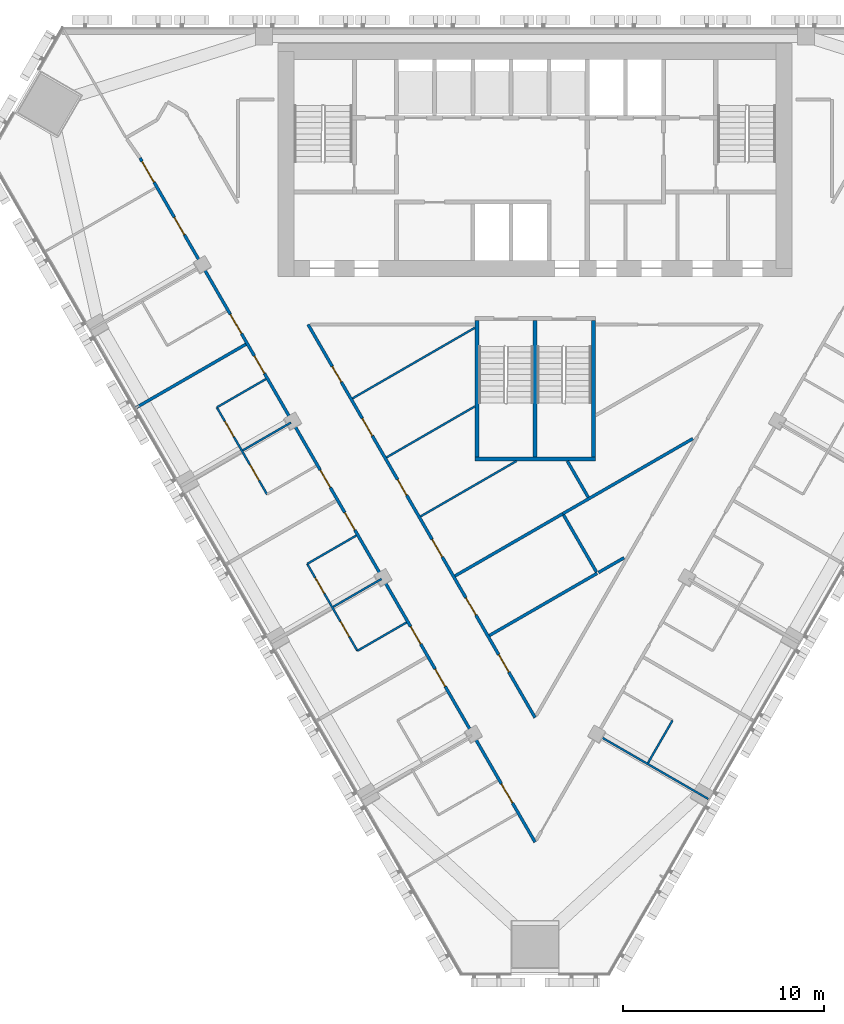
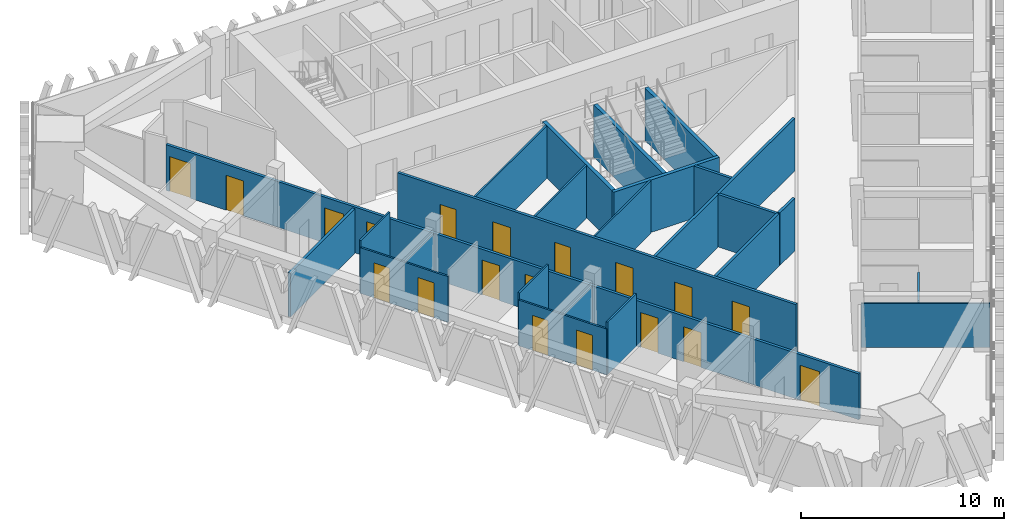
# One storey, part 9 of 16: 25 walls, 19 doors, 19 openings.
"""IFC4 building model written with IfcOpenShell, lengths in metres."""

from ifc_helpers import new_model, si_unit, direction, frame, frame_2d, origin, place, context, subcontext, project, spatial, rectangle, extrude, material, layer, layer_set, type_object, element, fill, save


model = new_model("IFC4")

# Units and contexts
model_context = context("Model", 3, precision=1e-05, world=origin(), true_north=direction((0.0, 1.0)))
body_context = subcontext(model_context, "Body", "Model", "MODEL_VIEW")
ifc_project = project(units=[si_unit("LENGTHUNIT", "METRE"), si_unit("AREAUNIT", "SQUARE_METRE"), si_unit("VOLUMEUNIT", "CUBIC_METRE"), si_unit("PLANEANGLEUNIT", "RADIAN"), si_unit("MASSUNIT", "GRAM", prefix="KILO")], contexts=[model_context])

# Site, building, storey
site_placement = place(None, origin())
site = spatial("IfcSite", under=ifc_project, at=site_placement, CompositionType="ELEMENT")
building_placement = place(site_placement, origin())
building = spatial("IfcBuilding", under=site, at=building_placement, Name="Altiplano Prism Tower", CompositionType="ELEMENT")
storey_placement = place(building_placement, frame((0.0, 0.0, 149.39990234375)))
storey = spatial("IfcBuildingStorey", under=building, at=storey_placement, Name="L38", CompositionType="ELEMENT", Elevation=149.39990234375)

# Wall, openings, doors
ifc_material_1 = material(Name="Plasterboard on steel stud", Category="steel")
ifc_layer_1 = layer(ifc_material_1, 0.10009765625)
ifc_layer_set_1 = layer_set([ifc_layer_1], Name="Plasterboard on steel stud")
wall_type_1 = type_object("IfcWallType", Name="Partition 100 unit", PredefinedType="PARTITIONING", material=ifc_layer_set_1)
wall_1_placement = place(storey_placement, frame((71.65087890625, 81.74267578125, 0.0), z_axis=(0.0, 0.0, 1.0), x_axis=(-0.500004234368, 0.866022959057, 0.0)))
wall_1 = element("IfcWall", 1, at=wall_1_placement, inside=storey, type_object=wall_type_1, Name="Partition P02 L38 033", PredefinedType="PARTITIONING", context=body_context, shape_type="SweptSolid", body=[
    extrude(rectangle(XDim=5.0, YDim=0.10009765625, at=frame_2d((2.5, 0.0))), origin(), (0.0, 0.0, 1.0), 2.75),
])
opening_1_placement = place(wall_1_placement, frame((3.300048828125, 0.0, 0.0)))
opening_1 = element("IfcOpeningElement", 2, at=opening_1_placement, cuts=wall_1, Name="Opening D1385", PredefinedType="OPENING", context=body_context, shape_type="SweptSolid", body=[
    extrude(rectangle(XDim=0.89990234375, YDim=2.10009765625, at=frame_2d((0.449951171875, 1.050048828125))), frame((0.0, 0.060546875, 0.0), z_axis=(0.0, -1.0, 0.0), x_axis=(1.0, 0.0, 0.0)), (0.0, 0.0, 1.0), 0.12109375),
])
opening_2_placement = place(wall_1_placement, frame((0.800048828125, 0.0, 0.0)))
opening_2 = element("IfcOpeningElement", 3, at=opening_2_placement, cuts=wall_1, Name="Opening D1387", PredefinedType="OPENING", context=body_context, shape_type="SweptSolid", body=[
    extrude(rectangle(XDim=0.89990234375, YDim=2.10009765625, at=frame_2d((0.449951171875, 1.050048828125))), frame((0.0, 0.060546875, 0.0), z_axis=(0.0, -1.0, 0.0), x_axis=(1.0, 0.0, 0.0)), (0.0, 0.0, 1.0), 0.12109375),
])
ifc_material_2 = material(Name="Timber", Category="wood")
door_type_1 = type_object("IfcDoorType", Name="Ensuite door 900 x 2100", OperationType="NOTDEFINED", PredefinedType="NOTDEFINED", material=ifc_material_2)
door_1_placement = place(opening_1_placement, origin())
door_1 = element("IfcDoor", 4, at=door_1_placement, inside=storey, type_object=door_type_1, Name="Door D1385", OperationType="SINGLE_SWING_RIGHT", OverallHeight=2.10009765625, OverallWidth=0.89990234375, PredefinedType="NOTDEFINED", context=body_context, shape_type="SweptSolid", body=[
    extrude(rectangle(XDim=0.89990234375, YDim=2.10009765625, at=frame_2d((0.449951171875, 1.050048828125))), frame((0.0, 0.02490234375, 0.0), z_axis=(0.0, -1.0, 0.0), x_axis=(1.0, 0.0, 0.0)), (0.0, 0.0, 1.0), 0.050048828125),
])
fill(opening_1, door_1)
door_2_placement = place(opening_2_placement, origin())
door_2 = element("IfcDoor", 5, at=door_2_placement, inside=storey, type_object=door_type_1, Name="Door D1387", OperationType="SINGLE_SWING_RIGHT", OverallHeight=2.10009765625, OverallWidth=0.89990234375, PredefinedType="NOTDEFINED", context=body_context, shape_type="SweptSolid", body=[
    extrude(rectangle(XDim=0.89990234375, YDim=2.10009765625, at=frame_2d((0.449951171875, 1.050048828125))), frame((0.0, 0.02490234375, 0.0), z_axis=(0.0, -1.0, 0.0), x_axis=(1.0, 0.0, 0.0)), (0.0, 0.0, 1.0), 0.050048828125),
])
fill(opening_2, door_2)

# Wall
wall_2_placement = place(storey_placement, frame((69.15087890625, 86.07275390625, 0.0), z_axis=(0.0, 0.0, 1.0), x_axis=(0.866011447264, 0.500024172624, 0.0)))
element("IfcWall", 6, at=wall_2_placement, inside=storey, type_object=wall_type_1, Name="Partition P02 L38 034", PredefinedType="PARTITIONING", context=body_context, shape_type="SweptSolid", body=[
    extrude(rectangle(XDim=2.824951171875, YDim=0.10009765625, at=frame_2d((1.41259765625, 0.0))), origin(), (0.0, 0.0, 1.0), 3.150146484375),
])

# Wall, openings, doors
wall_3_placement = place(storey_placement, frame((76.15087890625, 73.948486328125, 0.0), z_axis=(0.0, 0.0, 1.0), x_axis=(-0.500004234368, 0.866022959057, 0.0)))
wall_3 = element("IfcWall", 7, at=wall_3_placement, inside=storey, type_object=wall_type_1, Name="Partition P02 L38 039", PredefinedType="PARTITIONING", context=body_context, shape_type="SweptSolid", body=[
    extrude(rectangle(XDim=5.0, YDim=0.10009765625, at=frame_2d((2.5, 0.0))), origin(), (0.0, 0.0, 1.0), 2.75),
])
opening_3_placement = place(wall_3_placement, frame((3.300048828125, 0.0, 0.0)))
opening_3 = element("IfcOpeningElement", 8, at=opening_3_placement, cuts=wall_3, Name="Opening D1389", PredefinedType="OPENING", context=body_context, shape_type="SweptSolid", body=[
    extrude(rectangle(XDim=0.89990234375, YDim=2.10009765625, at=frame_2d((0.449951171875, 1.050048828125))), frame((0.0, 0.060546875, 0.0), z_axis=(0.0, -1.0, 0.0), x_axis=(1.0, 0.0, 0.0)), (0.0, 0.0, 1.0), 0.12109375),
])
opening_4_placement = place(wall_3_placement, frame((0.800048828125, 0.0, 0.0)))
opening_4 = element("IfcOpeningElement", 9, at=opening_4_placement, cuts=wall_3, Name="Opening D1391", PredefinedType="OPENING", context=body_context, shape_type="SweptSolid", body=[
    extrude(rectangle(XDim=0.89990234375, YDim=2.10009765625, at=frame_2d((0.449951171875, 1.050048828125))), frame((0.0, 0.060546875, 0.0), z_axis=(0.0, -1.0, 0.0), x_axis=(1.0, 0.0, 0.0)), (0.0, 0.0, 1.0), 0.12109375),
])
door_3_placement = place(opening_3_placement, origin())
door_3 = element("IfcDoor", 10, at=door_3_placement, inside=storey, type_object=door_type_1, Name="Door D1389", OperationType="SINGLE_SWING_LEFT", OverallHeight=2.10009765625, OverallWidth=0.89990234375, PredefinedType="NOTDEFINED", context=body_context, shape_type="SweptSolid", body=[
    extrude(rectangle(XDim=0.89990234375, YDim=2.10009765625, at=frame_2d((0.449951171875, 1.050048828125))), frame((0.0, 0.02490234375, 0.0), z_axis=(0.0, -1.0, 0.0), x_axis=(1.0, 0.0, 0.0)), (0.0, 0.0, 1.0), 0.050048828125),
])
fill(opening_3, door_3)
door_4_placement = place(opening_4_placement, origin())
door_4 = element("IfcDoor", 11, at=door_4_placement, inside=storey, type_object=door_type_1, Name="Door D1391", OperationType="SINGLE_SWING_LEFT", OverallHeight=2.10009765625, OverallWidth=0.89990234375, PredefinedType="NOTDEFINED", context=body_context, shape_type="SweptSolid", body=[
    extrude(rectangle(XDim=0.89990234375, YDim=2.10009765625, at=frame_2d((0.449951171875, 1.050048828125))), frame((0.0, 0.02490234375, 0.0), z_axis=(0.0, -1.0, 0.0), x_axis=(1.0, 0.0, 0.0)), (0.0, 0.0, 1.0), 0.050048828125),
])
fill(opening_4, door_4)

# Walls
for number, where, z_axis, x_axis, name in (
    (12, (73.65087890625, 78.278564453125, 0.0), (0.0, 0.0, 1.0), (0.866048868473, 0.499959355765, 0.0), "Partition P02 L38 040"),
    (13, (78.597412109375, 75.36083984375, 0.0), (0.0, 0.0, 1.0), (-0.866048868473, -0.499959355765, 0.0), "Partition P02 L38 043"),
):
    element("IfcWall", number, at=place(storey_placement, frame(where, z_axis=z_axis, x_axis=x_axis)), inside=storey, type_object=wall_type_1, Name=name, PredefinedType="PARTITIONING", context=body_context, shape_type="SweptSolid", body=[
        extrude(rectangle(XDim=2.824951171875, YDim=0.10009765625, at=frame_2d((1.41259765625, 0.0))), origin(), (0.0, 0.0, 1.0), 3.150146484375),
    ])
wall_4_placement = place(storey_placement, frame((91.84912109375, 70.484375, 0.0), z_axis=(0.0, 0.0, 1.0), x_axis=(-0.499943856944, -0.866057815567, 0.0)))
element("IfcWall", 14, at=wall_4_placement, inside=storey, type_object=wall_type_1, Name="Partition P02 L38 054", PredefinedType="PARTITIONING", context=body_context, shape_type="SweptSolid", body=[
    extrude(rectangle(XDim=2.449951171875, YDim=0.10009765625, at=frame_2d((1.22509765625, 0.0))), origin(), (0.0, 0.0, 1.0), 2.75),
])
ifc_layer_2 = layer(ifc_material_1, 0.10009765625)
ifc_layer_set_2 = layer_set([ifc_layer_2], Name="Plasterboard on steel stud")
wall_type_2 = type_object("IfcWallType", Name="Partition 100 wet", PredefinedType="PARTITIONING", material=ifc_layer_set_2)
wall_5_placement = place(storey_placement, frame((82.0, 86.12060546875, 0.0), z_axis=(0.0, 0.0, 1.0), x_axis=(-0.866023813814, -0.5000027539, 0.0)))
element("IfcWall", 15, at=wall_5_placement, inside=storey, type_object=wall_type_2, Name="Partition P03 L38 019", PredefinedType="PARTITIONING", context=body_context, shape_type="SweptSolid", body=[
    extrude(rectangle(XDim=5.07666015625, YDim=0.10009765625, at=frame_2d((2.538330078125, 0.0))), origin(), (0.0, 0.0, 1.0), 3.150146484375),
])
wall_6_placement = place(storey_placement, frame((79.2998046875, 80.64404296875, 0.0), z_axis=(0.0, 0.0, 1.0), x_axis=(0.866032163869, 0.499988291006, 0.0)))
element("IfcWall", 16, at=wall_6_placement, inside=storey, type_object=wall_type_2, Name="Partition P03 L38 020", PredefinedType="PARTITIONING", context=body_context, shape_type="SweptSolid", body=[
    extrude(rectangle(XDim=5.511962890625, YDim=0.10009765625, at=frame_2d((2.755859375, 0.0))), origin(), (0.0, 0.0, 1.0), 3.150146484375),
])
wall_7_placement = place(storey_placement, frame((75.9072265625, 86.5205078125, 0.0), z_axis=(0.0, 0.0, 1.0), x_axis=(0.866030712881, 0.499990804263, 0.0)))
element("IfcWall", 17, at=wall_7_placement, inside=storey, type_object=wall_type_2, Name="Partition P03 L38 021", PredefinedType="PARTITIONING", context=body_context, shape_type="SweptSolid", body=[
    extrude(rectangle(XDim=7.035400390625, YDim=0.10009765625, at=frame_2d((3.517578125, 0.0))), origin(), (0.0, 0.0, 1.0), 3.150146484375),
])
for number, where, z_axis, x_axis, name in (
    (18, (70.444091796875, 83.9326171875, 0.0), (0.0, 0.0, 1.0), (0.866042014628, 0.499971228071, 0.0), "Partition P03 L38 036"),
    (19, (74.944091796875, 76.138427734375, 0.0), (0.0, 0.0, 1.0), (0.866042014628, 0.499971228071, 0.0), "Partition P03 L38 042"),
):
    element("IfcWall", number, at=place(storey_placement, frame(where, z_axis=z_axis, x_axis=x_axis)), inside=storey, type_object=wall_type_2, Name=name, PredefinedType="PARTITIONING", context=body_context, shape_type="SweptSolid", body=[
        extrude(rectangle(XDim=2.775146484375, YDim=0.10009765625, at=frame_2d((1.3876953125, 0.0))), origin(), (0.0, 0.0, 1.0), 2.75),
    ])
wall_8_placement = place(storey_placement, frame((93.63037109375, 66.5693359375, 0.0), z_axis=(0.0, 0.0, 1.0), x_axis=(-0.866042250622, 0.499970819286, 0.0)))
element("IfcWall", 20, at=wall_8_placement, inside=storey, type_object=wall_type_2, Name="Partition P03 L38 052", PredefinedType="PARTITIONING", context=body_context, shape_type="SweptSolid", body=[
    extrude(rectangle(XDim=6.3251953125, YDim=0.10009765625, at=frame_2d((3.16259765625, 0.0))), origin(), (0.0, 0.0, 1.0), 2.650146484375),
])

# Wall, openings, doors
ifc_layer_3 = layer(ifc_material_1, 0.14990234375)
ifc_layer_set_3 = layer_set([ifc_layer_3], Name="Plasterboard on steel stud")
wall_type_3 = type_object("IfcWallType", Name="Partition 150 corridor", PredefinedType="PARTITIONING", material=ifc_layer_set_3)
wall_9_placement = place(storey_placement, frame((85.0, 70.62109375, 0.0), z_axis=(0.0, 0.0, 1.0), x_axis=(-0.500003200507, 0.866023555963, 0.0)))
wall_9 = element("IfcWall", 21, at=wall_9_placement, inside=storey, type_object=wall_type_3, Name="Partition P06 L38 004", PredefinedType="PARTITIONING", context=body_context, shape_type="SweptSolid", body=[
    extrude(rectangle(XDim=22.607666015625, YDim=0.14990234375, at=frame_2d((11.3037109375, 0.0))), origin(), (0.0, 0.0, 1.0), 3.150146484375),
])
opening_5_placement = place(wall_9_placement, frame((12.7900390625, 0.0, 0.0)))
opening_5 = element("IfcOpeningElement", 22, at=opening_5_placement, cuts=wall_9, Name="Opening D1374", PredefinedType="OPENING", context=body_context, shape_type="SweptSolid", body=[
    extrude(rectangle(XDim=0.89990234375, YDim=2.10009765625, at=frame_2d((0.449951171875, 1.050048828125))), frame((0.0, 0.08544921875, 0.0), z_axis=(0.0, -1.0, 0.0), x_axis=(1.0, 0.0, 0.0)), (0.0, 0.0, 1.0), 0.1708984375),
])
opening_6_placement = place(wall_9_placement, frame((19.298095703125, 0.0, 0.0)))
opening_6 = element("IfcOpeningElement", 23, at=opening_6_placement, cuts=wall_9, Name="Opening D1375", PredefinedType="OPENING", context=body_context, shape_type="SweptSolid", body=[
    extrude(rectangle(XDim=0.89990234375, YDim=2.10009765625, at=frame_2d((0.449951171875, 1.050048828125))), frame((0.0, 0.08544921875, 0.0), z_axis=(0.0, -1.0, 0.0), x_axis=(1.0, 0.0, 0.0)), (0.0, 0.0, 1.0), 0.1708984375),
])
opening_7_placement = place(wall_9_placement, frame((2.618896484375, 0.0, 0.0)))
opening_7 = element("IfcOpeningElement", 24, at=opening_7_placement, cuts=wall_9, Name="Opening D1378", PredefinedType="OPENING", context=body_context, shape_type="SweptSolid", body=[
    extrude(rectangle(XDim=1.0, YDim=2.10009765625, at=frame_2d((0.5, 1.050048828125))), frame((0.0, 0.08544921875, 0.0), z_axis=(0.0, -1.0, 0.0), x_axis=(1.0, 0.0, 0.0)), (0.0, 0.0, 1.0), 0.1708984375),
])
opening_8_placement = place(wall_9_placement, frame((16.2099609375, 0.0, 0.0)))
opening_8 = element("IfcOpeningElement", 25, at=opening_8_placement, cuts=wall_9, Name="Opening D1379", PredefinedType="OPENING", context=body_context, shape_type="SweptSolid", body=[
    extrude(rectangle(XDim=1.0, YDim=2.10009765625, at=frame_2d((0.5, 1.050048828125))), frame((0.0, 0.08544921875, 0.0), z_axis=(0.0, -1.0, 0.0), x_axis=(1.0, 0.0, 0.0)), (0.0, 0.0, 1.0), 0.1708984375),
])
opening_9_placement = place(wall_9_placement, frame((9.24609375, 0.0, 0.0)))
opening_9 = element("IfcOpeningElement", 26, at=opening_9_placement, cuts=wall_9, Name="Opening D1414", PredefinedType="OPENING", context=body_context, shape_type="SweptSolid", body=[
    extrude(rectangle(XDim=1.0, YDim=2.10009765625, at=frame_2d((0.5, 1.050048828125))), frame((0.0, 0.08544921875, 0.0), z_axis=(0.0, -1.0, 0.0), x_axis=(1.0, 0.0, 0.0)), (0.0, 0.0, 1.0), 0.1708984375),
])
opening_10_placement = place(wall_9_placement, frame((5.89208984375, 0.0, 0.0)))
opening_10 = element("IfcOpeningElement", 27, at=opening_10_placement, cuts=wall_9, Name="Opening D1415", PredefinedType="OPENING", context=body_context, shape_type="SweptSolid", body=[
    extrude(rectangle(XDim=1.0, YDim=2.10009765625, at=frame_2d((0.5, 1.050048828125))), frame((0.0, 0.08544921875, 0.0), z_axis=(0.0, -1.0, 0.0), x_axis=(1.0, 0.0, 0.0)), (0.0, 0.0, 1.0), 0.1708984375),
])
door_type_2 = type_object("IfcDoorType", Name="Store door 1000 x 2100", OperationType="NOTDEFINED", PredefinedType="NOTDEFINED", material=ifc_material_2)
door_5_placement = place(opening_7_placement, origin())
door_5 = element("IfcDoor", 28, at=door_5_placement, inside=storey, type_object=door_type_2, Name="Door D1378", OperationType="SINGLE_SWING_RIGHT", OverallHeight=2.10009765625, OverallWidth=1.0, PredefinedType="NOTDEFINED", context=body_context, shape_type="SweptSolid", body=[
    extrude(rectangle(XDim=1.0, YDim=2.10009765625, at=frame_2d((0.5, 1.050048828125))), frame((0.0, 0.02490234375, 0.0), z_axis=(0.0, -1.0, 0.0), x_axis=(1.0, 0.0, 0.0)), (0.0, 0.0, 1.0), 0.050048828125),
])
fill(opening_7, door_5)
door_6_placement = place(opening_8_placement, origin())
door_6 = element("IfcDoor", 29, at=door_6_placement, inside=storey, type_object=door_type_2, Name="Door D1379", OperationType="SINGLE_SWING_LEFT", OverallHeight=2.10009765625, OverallWidth=1.0, PredefinedType="NOTDEFINED", context=body_context, shape_type="SweptSolid", body=[
    extrude(rectangle(XDim=1.0, YDim=2.10009765625, at=frame_2d((0.5, 1.050048828125))), frame((0.0, 0.02490234375, 0.0), z_axis=(0.0, -1.0, 0.0), x_axis=(1.0, 0.0, 0.0)), (0.0, 0.0, 1.0), 0.050048828125),
])
fill(opening_8, door_6)
door_7_placement = place(opening_9_placement, origin())
door_7 = element("IfcDoor", 30, at=door_7_placement, inside=storey, type_object=door_type_2, Name="Door D1414", OperationType="SINGLE_SWING_LEFT", OverallHeight=2.10009765625, OverallWidth=1.0, PredefinedType="NOTDEFINED", context=body_context, shape_type="SweptSolid", body=[
    extrude(rectangle(XDim=1.0, YDim=2.10009765625, at=frame_2d((0.5, 1.050048828125))), frame((0.0, 0.02490234375, 0.0), z_axis=(0.0, -1.0, 0.0), x_axis=(1.0, 0.0, 0.0)), (0.0, 0.0, 1.0), 0.050048828125),
])
fill(opening_9, door_7)
door_8_placement = place(opening_10_placement, origin())
door_8 = element("IfcDoor", 31, at=door_8_placement, inside=storey, type_object=door_type_2, Name="Door D1415", OperationType="SINGLE_SWING_RIGHT", OverallHeight=2.10009765625, OverallWidth=1.0, PredefinedType="NOTDEFINED", context=body_context, shape_type="SweptSolid", body=[
    extrude(rectangle(XDim=1.0, YDim=2.10009765625, at=frame_2d((0.5, 1.050048828125))), frame((0.0, 0.02490234375, 0.0), z_axis=(0.0, -1.0, 0.0), x_axis=(1.0, 0.0, 0.0)), (0.0, 0.0, 1.0), 0.050048828125),
])
fill(opening_10, door_8)
door_type_3 = type_object("IfcDoorType", Name="Toilet door 900 x 2100", OperationType="NOTDEFINED", PredefinedType="NOTDEFINED", material=ifc_material_2)
door_9_placement = place(opening_5_placement, origin())
door_9 = element("IfcDoor", 32, at=door_9_placement, inside=storey, type_object=door_type_3, Name="Door D1374", OperationType="SINGLE_SWING_RIGHT", OverallHeight=2.10009765625, OverallWidth=0.89990234375, PredefinedType="NOTDEFINED", context=body_context, shape_type="SweptSolid", body=[
    extrude(rectangle(XDim=0.89990234375, YDim=2.10009765625, at=frame_2d((0.449951171875, 1.050048828125))), frame((0.0, 0.02490234375, 0.0), z_axis=(0.0, -1.0, 0.0), x_axis=(1.0, 0.0, 0.0)), (0.0, 0.0, 1.0), 0.050048828125),
])
fill(opening_5, door_9)
door_10_placement = place(opening_6_placement, origin())
door_10 = element("IfcDoor", 33, at=door_10_placement, inside=storey, type_object=door_type_3, Name="Door D1375", OperationType="SINGLE_SWING_LEFT", OverallHeight=2.10009765625, OverallWidth=0.89990234375, PredefinedType="NOTDEFINED", context=body_context, shape_type="SweptSolid", body=[
    extrude(rectangle(XDim=0.89990234375, YDim=2.10009765625, at=frame_2d((0.449951171875, 1.050048828125))), frame((0.0, 0.02490234375, 0.0), z_axis=(0.0, -1.0, 0.0), x_axis=(1.0, 0.0, 0.0)), (0.0, 0.0, 1.0), 0.050048828125),
])
fill(opening_6, door_10)

wall_10_placement = place(storey_placement, frame((65.324462890625, 98.5, 0.0), z_axis=(0.0, 0.0, 1.0), x_axis=(0.500001898363, -0.866024307761, 0.0)))
wall_10 = element("IfcWall", 34, at=wall_10_placement, inside=storey, type_object=wall_type_3, Name="Partition P06 L38 006", PredefinedType="PARTITIONING", context=body_context, shape_type="SweptSolid", body=[
    extrude(rectangle(XDim=39.350830078125, YDim=0.14990234375, at=frame_2d((19.67529296875, 0.0))), origin(), (0.0, 0.0, 1.0), 2.75),
])
opening_11_placement = place(wall_10_placement, frame((0.199951171875, 0.0, 0.0)))
opening_11 = element("IfcOpeningElement", 35, at=opening_11_placement, cuts=wall_10, Name="Opening D1380", PredefinedType="OPENING", context=body_context, shape_type="SweptSolid", body=[
    extrude(rectangle(XDim=1.199951171875, YDim=2.10009765625, at=frame_2d((0.60009765625, 1.050048828125))), frame((0.0, 0.08544921875, 0.0), z_axis=(0.0, -1.0, 0.0), x_axis=(1.0, 0.0, 0.0)), (0.0, 0.0, 1.0), 0.1708984375),
])
opening_12_placement = place(wall_10_placement, frame((3.425048828125, 0.0, 0.0)))
opening_12 = element("IfcOpeningElement", 36, at=opening_12_placement, cuts=wall_10, Name="Opening D1381", PredefinedType="OPENING", context=body_context, shape_type="SweptSolid", body=[
    extrude(rectangle(XDim=1.0, YDim=2.10009765625, at=frame_2d((0.5, 1.050048828125))), frame((0.0, 0.08544921875, 0.0), z_axis=(0.0, -1.0, 0.0), x_axis=(1.0, 0.0, 0.0)), (0.0, 0.0, 1.0), 0.1708984375),
])
opening_13_placement = place(wall_10_placement, frame((9.00390625, 0.0, 0.0)))
opening_13 = element("IfcOpeningElement", 37, at=opening_13_placement, cuts=wall_10, Name="Opening D1382", PredefinedType="OPENING", context=body_context, shape_type="SweptSolid", body=[
    extrude(rectangle(XDim=1.10009765625, YDim=2.10009765625, at=frame_2d((0.550048828125, 1.050048828125))), frame((0.0, 0.08544921875, 0.0), z_axis=(0.0, -1.0, 0.0), x_axis=(1.0, 0.0, 0.0)), (0.0, 0.0, 1.0), 0.1708984375),
])
opening_14_placement = place(wall_10_placement, frame((11.39599609375, 0.0, 0.0)))
opening_14 = element("IfcOpeningElement", 38, at=opening_14_placement, cuts=wall_10, Name="Opening D1384", PredefinedType="OPENING", context=body_context, shape_type="SweptSolid", body=[
    extrude(rectangle(XDim=1.0, YDim=2.10009765625, at=frame_2d((0.5, 1.050048828125))), frame((0.0, 0.08544921875, 0.0), z_axis=(0.0, -1.0, 0.0), x_axis=(1.0, 0.0, 0.0)), (0.0, 0.0, 1.0), 0.1708984375),
])
opening_15_placement = place(wall_10_placement, frame((17.955078125, 0.0, 0.0)))
opening_15 = element("IfcOpeningElement", 39, at=opening_15_placement, cuts=wall_10, Name="Opening D1386", PredefinedType="OPENING", context=body_context, shape_type="SweptSolid", body=[
    extrude(rectangle(XDim=1.0, YDim=2.10009765625, at=frame_2d((0.5, 1.050048828125))), frame((0.0, 0.08544921875, 0.0), z_axis=(0.0, -1.0, 0.0), x_axis=(1.0, 0.0, 0.0)), (0.0, 0.0, 1.0), 0.1708984375),
])
opening_16_placement = place(wall_10_placement, frame((20.39599609375, 0.0, 0.0)))
opening_16 = element("IfcOpeningElement", 40, at=opening_16_placement, cuts=wall_10, Name="Opening D1388", PredefinedType="OPENING", context=body_context, shape_type="SweptSolid", body=[
    extrude(rectangle(XDim=1.0, YDim=2.10009765625, at=frame_2d((0.5, 1.050048828125))), frame((0.0, 0.08544921875, 0.0), z_axis=(0.0, -1.0, 0.0), x_axis=(1.0, 0.0, 0.0)), (0.0, 0.0, 1.0), 0.1708984375),
])
opening_17_placement = place(wall_10_placement, frame((26.955078125, 0.0, 0.0)))
opening_17 = element("IfcOpeningElement", 41, at=opening_17_placement, cuts=wall_10, Name="Opening D1390", PredefinedType="OPENING", context=body_context, shape_type="SweptSolid", body=[
    extrude(rectangle(XDim=1.0, YDim=2.10009765625, at=frame_2d((0.5, 1.050048828125))), frame((0.0, 0.08544921875, 0.0), z_axis=(0.0, -1.0, 0.0), x_axis=(1.0, 0.0, 0.0)), (0.0, 0.0, 1.0), 0.1708984375),
])
opening_18_placement = place(wall_10_placement, frame((29.39599609375, 0.0, 0.0)))
opening_18 = element("IfcOpeningElement", 42, at=opening_18_placement, cuts=wall_10, Name="Opening D1392", PredefinedType="OPENING", context=body_context, shape_type="SweptSolid", body=[
    extrude(rectangle(XDim=1.0, YDim=2.10009765625, at=frame_2d((0.5, 1.050048828125))), frame((0.0, 0.08544921875, 0.0), z_axis=(0.0, -1.0, 0.0), x_axis=(1.0, 0.0, 0.0)), (0.0, 0.0, 1.0), 0.1708984375),
])
opening_19_placement = place(wall_10_placement, frame((36.00390625, 0.0, 0.0)))
opening_19 = element("IfcOpeningElement", 43, at=opening_19_placement, cuts=wall_10, Name="Opening D1394", PredefinedType="OPENING", context=body_context, shape_type="SweptSolid", body=[
    extrude(rectangle(XDim=1.10009765625, YDim=2.10009765625, at=frame_2d((0.550048828125, 1.050048828125))), frame((0.0, 0.08544921875, 0.0), z_axis=(0.0, -1.0, 0.0), x_axis=(1.0, 0.0, 0.0)), (0.0, 0.0, 1.0), 0.1708984375),
])
door_type_4 = type_object("IfcDoorType", Name="Accessible bedroom door 1100 x 2100", OperationType="NOTDEFINED", PredefinedType="NOTDEFINED", material=ifc_material_2)
door_11_placement = place(opening_13_placement, origin())
door_11 = element("IfcDoor", 44, at=door_11_placement, inside=storey, type_object=door_type_4, Name="Door D1382", OperationType="SINGLE_SWING_LEFT", OverallHeight=2.10009765625, OverallWidth=1.10009765625, PredefinedType="NOTDEFINED", context=body_context, shape_type="SweptSolid", body=[
    extrude(rectangle(XDim=1.10009765625, YDim=2.10009765625, at=frame_2d((0.550048828125, 1.050048828125))), frame((0.0, 0.02490234375, 0.0), z_axis=(0.0, -1.0, 0.0), x_axis=(1.0, 0.0, 0.0)), (0.0, 0.0, 1.0), 0.050048828125),
])
fill(opening_13, door_11)
door_12_placement = place(opening_19_placement, origin())
door_12 = element("IfcDoor", 45, at=door_12_placement, inside=storey, type_object=door_type_4, Name="Door D1394", OperationType="SINGLE_SWING_LEFT", OverallHeight=2.10009765625, OverallWidth=1.10009765625, PredefinedType="NOTDEFINED", context=body_context, shape_type="SweptSolid", body=[
    extrude(rectangle(XDim=1.10009765625, YDim=2.10009765625, at=frame_2d((0.550048828125, 1.050048828125))), frame((0.0, 0.02490234375, 0.0), z_axis=(0.0, -1.0, 0.0), x_axis=(1.0, 0.0, 0.0)), (0.0, 0.0, 1.0), 0.050048828125),
])
fill(opening_19, door_12)
door_type_5 = type_object("IfcDoorType", Name="Bedroom entrance door 1000 x 2100", OperationType="NOTDEFINED", PredefinedType="NOTDEFINED", material=ifc_material_2)
door_13_placement = place(opening_14_placement, origin())
door_13 = element("IfcDoor", 46, at=door_13_placement, inside=storey, type_object=door_type_5, Name="Door D1384", OperationType="SINGLE_SWING_RIGHT", OverallHeight=2.10009765625, OverallWidth=1.0, PredefinedType="NOTDEFINED", context=body_context, shape_type="SweptSolid", body=[
    extrude(rectangle(XDim=1.0, YDim=2.10009765625, at=frame_2d((0.5, 1.050048828125))), frame((0.0, 0.02490234375, 0.0), z_axis=(0.0, -1.0, 0.0), x_axis=(1.0, 0.0, 0.0)), (0.0, 0.0, 1.0), 0.050048828125),
])
fill(opening_14, door_13)
door_14_placement = place(opening_15_placement, origin())
door_14 = element("IfcDoor", 47, at=door_14_placement, inside=storey, type_object=door_type_5, Name="Door D1386", OperationType="SINGLE_SWING_LEFT", OverallHeight=2.10009765625, OverallWidth=1.0, PredefinedType="NOTDEFINED", context=body_context, shape_type="SweptSolid", body=[
    extrude(rectangle(XDim=1.0, YDim=2.10009765625, at=frame_2d((0.5, 1.050048828125))), frame((0.0, 0.02490234375, 0.0), z_axis=(0.0, -1.0, 0.0), x_axis=(1.0, 0.0, 0.0)), (0.0, 0.0, 1.0), 0.050048828125),
])
fill(opening_15, door_14)
door_15_placement = place(opening_16_placement, origin())
door_15 = element("IfcDoor", 48, at=door_15_placement, inside=storey, type_object=door_type_5, Name="Door D1388", OperationType="SINGLE_SWING_LEFT", OverallHeight=2.10009765625, OverallWidth=1.0, PredefinedType="NOTDEFINED", context=body_context, shape_type="SweptSolid", body=[
    extrude(rectangle(XDim=1.0, YDim=2.10009765625, at=frame_2d((0.5, 1.050048828125))), frame((0.0, 0.02490234375, 0.0), z_axis=(0.0, -1.0, 0.0), x_axis=(1.0, 0.0, 0.0)), (0.0, 0.0, 1.0), 0.050048828125),
])
fill(opening_16, door_15)
door_16_placement = place(opening_17_placement, origin())
door_16 = element("IfcDoor", 49, at=door_16_placement, inside=storey, type_object=door_type_5, Name="Door D1390", OperationType="SINGLE_SWING_LEFT", OverallHeight=2.10009765625, OverallWidth=1.0, PredefinedType="NOTDEFINED", context=body_context, shape_type="SweptSolid", body=[
    extrude(rectangle(XDim=1.0, YDim=2.10009765625, at=frame_2d((0.5, 1.050048828125))), frame((0.0, 0.02490234375, 0.0), z_axis=(0.0, -1.0, 0.0), x_axis=(1.0, 0.0, 0.0)), (0.0, 0.0, 1.0), 0.050048828125),
])
fill(opening_17, door_16)
door_17_placement = place(opening_18_placement, origin())
door_17 = element("IfcDoor", 50, at=door_17_placement, inside=storey, type_object=door_type_5, Name="Door D1392", OperationType="SINGLE_SWING_LEFT", OverallHeight=2.10009765625, OverallWidth=1.0, PredefinedType="NOTDEFINED", context=body_context, shape_type="SweptSolid", body=[
    extrude(rectangle(XDim=1.0, YDim=2.10009765625, at=frame_2d((0.5, 1.050048828125))), frame((0.0, 0.02490234375, 0.0), z_axis=(0.0, -1.0, 0.0), x_axis=(1.0, 0.0, 0.0)), (0.0, 0.0, 1.0), 0.050048828125),
])
fill(opening_18, door_17)
door_type_6 = type_object("IfcDoorType", Name="Room door 1000 x 2100", OperationType="NOTDEFINED", PredefinedType="NOTDEFINED", material=ifc_material_2)
door_18_placement = place(opening_12_placement, origin())
door_18 = element("IfcDoor", 51, at=door_18_placement, inside=storey, type_object=door_type_6, Name="Door D1381", OperationType="SINGLE_SWING_LEFT", OverallHeight=2.10009765625, OverallWidth=1.0, PredefinedType="NOTDEFINED", context=body_context, shape_type="SweptSolid", body=[
    extrude(rectangle(XDim=1.0, YDim=2.10009765625, at=frame_2d((0.5, 1.050048828125))), frame((0.0, 0.02490234375, 0.0), z_axis=(0.0, -1.0, 0.0), x_axis=(1.0, 0.0, 0.0)), (0.0, 0.0, 1.0), 0.050048828125),
])
fill(opening_12, door_18)
door_type_7 = type_object("IfcDoorType", Name="Shared room door 1200 x 2100", OperationType="NOTDEFINED", PredefinedType="NOTDEFINED", material=ifc_material_2)
door_19_placement = place(opening_11_placement, origin())
door_19 = element("IfcDoor", 52, at=door_19_placement, inside=storey, type_object=door_type_7, Name="Door D1380", OperationType="SINGLE_SWING_RIGHT", OverallHeight=2.10009765625, OverallWidth=1.199951171875, PredefinedType="NOTDEFINED", context=body_context, shape_type="SweptSolid", body=[
    extrude(rectangle(XDim=1.199951171875, YDim=2.10009765625, at=frame_2d((0.60009765625, 1.050048828125))), frame((0.0, 0.02490234375, 0.0), z_axis=(0.0, -1.0, 0.0), x_axis=(1.0, 0.0, 0.0)), (0.0, 0.0, 1.0), 0.050048828125),
])
fill(opening_11, door_19)

# Walls
ifc_layer_4 = layer(ifc_material_1, 0.14990234375)
ifc_layer_set_4 = layer_set([ifc_layer_4], Name="Plasterboard on steel stud")
wall_type_4 = type_object("IfcWallType", Name="Partition 150 party", PredefinedType="PARTITIONING", material=ifc_layer_set_4)
wall_11_placement = place(storey_placement, frame((88.160400390625, 77.848388671875, 0.0), z_axis=(0.0, 0.0, 1.0), x_axis=(0.86604208752, 0.499971101808, 0.0)))
element("IfcWall", 53, at=wall_11_placement, inside=storey, type_object=wall_type_4, Name="Partition P01 L38 022", PredefinedType="PARTITIONING", context=body_context, shape_type="SweptSolid", body=[
    extrude(rectangle(XDim=1.47314453125, YDim=0.14990234375, at=frame_2d((0.736572265625, 0.0))), origin(), (0.0, 0.0, 1.0), 3.150146484375),
])
wall_12_placement = place(storey_placement, frame((92.862060546875, 84.5185546875, 0.0), z_axis=(0.0, 0.0, 1.0), x_axis=(-0.866023543838, -0.500003221507, 0.0)))
element("IfcWall", 54, at=wall_12_placement, inside=storey, type_object=wall_type_4, Name="Partition P01 L38 023", PredefinedType="PARTITIONING", context=body_context, shape_type="SweptSolid", body=[
    extrude(rectangle(XDim=7.501953125, YDim=0.14990234375, at=frame_2d((3.7509765625, 0.0))), origin(), (0.0, 0.0, 1.0), 3.150146484375),
])
wall_13_placement = place(storey_placement, frame((86.419921875, 80.712646484375, 0.0), z_axis=(0.0, 0.0, 1.0), x_axis=(0.500010613097, -0.866019276224, 0.0)))
element("IfcWall", 55, at=wall_13_placement, inside=storey, type_object=wall_type_4, Name="Partition P01 L38 024", PredefinedType="PARTITIONING", context=body_context, shape_type="SweptSolid", body=[
    extrude(rectangle(XDim=3.27587890625, YDim=0.14990234375, at=frame_2d((1.637939453125, 0.0))), origin(), (0.0, 0.0, 1.0), 3.150146484375),
])
wall_14_placement = place(storey_placement, frame((88.095458984375, 77.810791015625, 0.0), z_axis=(0.0, 0.0, 1.0), x_axis=(-0.866022320763, -0.500005339912, 0.0)))
element("IfcWall", 56, at=wall_14_placement, inside=storey, type_object=wall_type_4, Name="Partition P01 L38 026", PredefinedType="PARTITIONING", context=body_context, shape_type="SweptSolid", body=[
    extrude(rectangle(XDim=6.20068359375, YDim=0.14990234375, at=frame_2d((3.100341796875, 0.0))), origin(), (0.0, 0.0, 1.0), 3.150146484375),
])
wall_15_placement = place(storey_placement, frame((65.102294921875, 86.044677734375, 0.0), z_axis=(0.0, 0.0, 1.0), x_axis=(0.866025401434, 0.500000004071, 0.0)))
element("IfcWall", 57, at=wall_15_placement, inside=storey, type_object=wall_type_4, Name="Partition P01 L38 032", PredefinedType="PARTITIONING", context=body_context, shape_type="SweptSolid", body=[
    extrude(rectangle(XDim=6.34521484375, YDim=0.14990234375, at=frame_2d((3.172607421875, 0.0))), origin(), (0.0, 0.0, 1.0), 2.650146484375),
])
wall_16_placement = place(storey_placement, frame((86.608642578125, 83.39990234375, 0.0), z_axis=(0.0, 0.0, 1.0), x_axis=(0.499996383721, -0.866027491634, 0.0)))
element("IfcWall", 58, at=wall_16_placement, inside=storey, type_object=wall_type_4, Name="Partition P01 L38 074", PredefinedType="PARTITIONING", context=body_context, shape_type="SweptSolid", body=[
    extrude(rectangle(XDim=2.0830078125, YDim=0.14990234375, at=frame_2d((1.04150390625, 0.0))), origin(), (0.0, 0.0, 1.0), 3.150146484375),
])
wall_17_placement = place(storey_placement, frame((81.0126953125, 77.67724609375, 0.0), z_axis=(0.0, 0.0, 1.0), x_axis=(0.866022320763, 0.500005339912, 0.0)))
element("IfcWall", 59, at=wall_17_placement, inside=storey, type_object=wall_type_4, Name="Partition P01 L38 075", PredefinedType="PARTITIONING", context=body_context, shape_type="SweptSolid", body=[
    extrude(rectangle(XDim=6.20068359375, YDim=0.14990234375, at=frame_2d((3.100341796875, 0.0))), origin(), (0.0, 0.0, 1.0), 3.150146484375),
])
ifc_material_3 = material(Name="Concrete C60/75", Category="concrete")
ifc_layer_5 = layer(ifc_material_3, 0.199951171875)
ifc_layer_set_5 = layer_set([ifc_layer_5], Name="Concrete C60/75")
wall_type_5 = type_object("IfcWallType", Name="Stair wall 200", PredefinedType="SOLIDWALL", material=ifc_layer_set_5)
wall_18_placement = place(storey_placement, frame((82.0, 83.5, 0.0), z_axis=(0.0, 0.0, 1.0), x_axis=(1.0, 0.0, 0.0)))
element("IfcWall", 60, at=wall_18_placement, inside=storey, type_object=wall_type_5, Name="Stair 3 wall south L38", PredefinedType="SOLIDWALL", context=body_context, shape_type="SweptSolid", body=[
    extrude(rectangle(XDim=6.0, YDim=0.199951171875, at=frame_2d((3.0, 0.0))), origin(), (0.0, 0.0, 1.0), 3.150146484375),
])
for number, where, z_axis, x_axis, name in (
    (61, (82.10009765625, 83.60009765625, 0.0), (0.0, 0.0, 1.0), (0.0, 1.0, 0.0), "Stair 3 wall west L38"),
    (62, (87.89990234375, 83.60009765625, 0.0), (0.0, 0.0, 1.0), (0.0, 1.0, 0.0), "Stair 3 wall east L38"),
    (63, (85.0, 83.60009765625, 0.0), (0.0, 0.0, 1.0), (0.0, 1.0, 0.0), "Stair 3 wall divider L38"),
):
    element("IfcWall", number, at=place(storey_placement, frame(where, z_axis=z_axis, x_axis=x_axis)), inside=storey, type_object=wall_type_5, Name=name, PredefinedType="SOLIDWALL", context=body_context, shape_type="SweptSolid", body=[
        extrude(rectangle(XDim=6.7998046875, YDim=0.199951171875, at=frame_2d((3.39990234375, 0.0))), origin(), (0.0, 0.0, 1.0), 3.150146484375),
    ])

save(model, "model.ifc")
